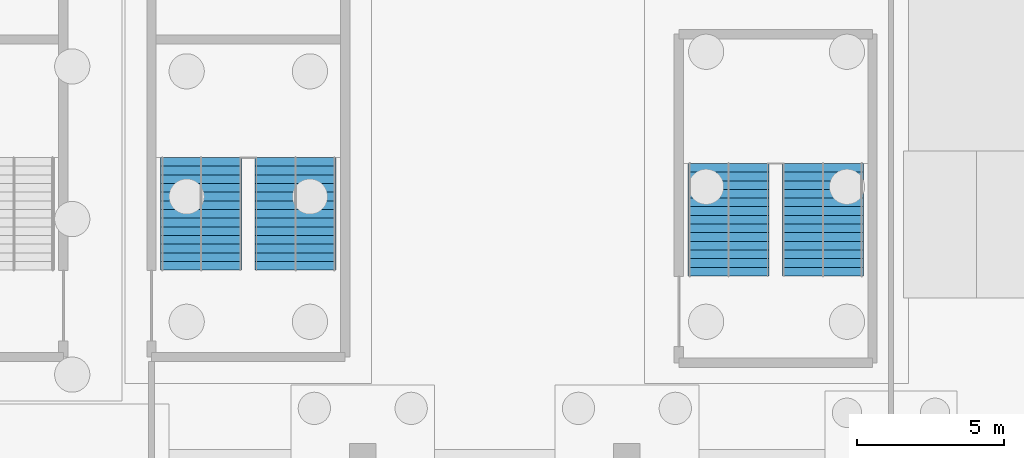
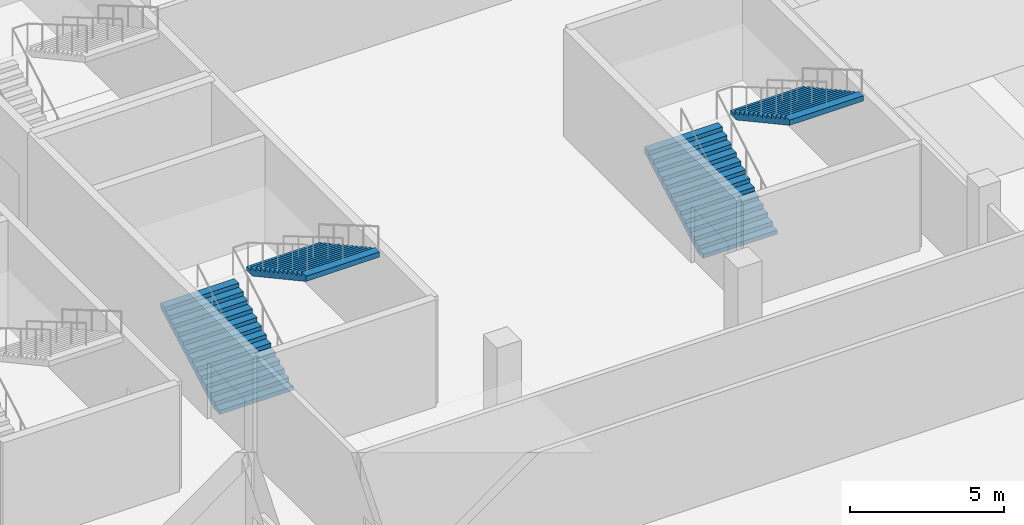
# One storey, part 29 of 46: 4 stair flights, 2 elements without a shape of their own.
"""IFC4 building model written with IfcOpenShell, lengths in metres."""

from ifc_helpers import new_model, si_unit, direction, frame, origin, place, context, subcontext, project, spatial, polygons, material, type_object, element, aggregate, save


model = new_model("IFC4")

# Units and contexts
model_context = context("Model", 3, precision=1e-05, world=origin(), true_north=direction((0.0, 1.0)))
body_context = subcontext(model_context, "Body", "Model", "MODEL_VIEW")
ifc_project = project(units=[si_unit("LENGTHUNIT", "METRE"), si_unit("AREAUNIT", "SQUARE_METRE"), si_unit("VOLUMEUNIT", "CUBIC_METRE"), si_unit("PLANEANGLEUNIT", "RADIAN"), si_unit("MASSUNIT", "GRAM", prefix="KILO")], contexts=[model_context])

# Site, building, storey
site_placement = place(None, origin())
site = spatial("IfcSite", under=ifc_project, at=site_placement, CompositionType="ELEMENT")
building_placement = place(site_placement, origin())
building = spatial("IfcBuilding", under=site, at=building_placement, Name="Kisiwana Market Hall", CompositionType="ELEMENT")
storey_placement = place(building_placement, frame((0.0, 0.0, -4.5)))
storey = spatial("IfcBuildingStorey", under=building, at=storey_placement, Name="B1", CompositionType="ELEMENT", Elevation=-4.5)

# Stair, stair flights
ifc_material_1 = material(Name="Concrete C32/40", Category="concrete")
stair_type = type_object("IfcStairType", Name="ST-ESC-4500", PredefinedType="TWO_STRAIGHT_RUN_STAIR", material=ifc_material_1)
stair_1_placement = place(storey_placement, origin())
stair_1 = element("IfcStair", 1, at=stair_1_placement, inside=storey, type_object=stair_type, Name="Escape stair ST-W7-B1", PredefinedType="TWO_STRAIGHT_RUN_STAIR")
ifc_material_2 = material(Name="Concrete C32/40", Category="concrete")
stair_flight_type = type_object("IfcStairFlightType", Name="SF-ESC-4500", PredefinedType="STRAIGHT", material=ifc_material_2)
stair_flight_1_placement = place(storey_placement, frame((21.489990234375, 42.360107421875, 0.0), z_axis=(0.0, 0.0, 1.0), x_axis=(0.0, 1.0, 0.0)))
stair_flight_1 = element("IfcStairFlight", 2, at=stair_flight_1_placement, type_object=stair_flight_type, Name="ST-W7-B1 flight 1", NumberOfRisers=14, NumberOfTreads=13, PredefinedType="STRAIGHT", RiserHeight=0.160714, TreadLength=0.295, context=body_context, shape_type="Tessellation", body=[
    polygons([(0.0, -1.380127, 0.0), (0.0, -0.690125, 0.0), (0.0, -0.000122, 0.0), (0.0, 0.68988, 0.0), (0.0, 1.379883, 0.0), (0.0, -1.380127, 0.160645), (0.0, -0.690125, 0.160645), (0.0, -0.000122, 0.160645), (0.0, 0.68988, 0.160645), (0.0, 1.379883, 0.160645), (0.294922, -1.380127, 0.160645), (0.294922, -0.690125, 0.160645), (0.294922, -0.000122, 0.160645), (0.294922, 0.68988, 0.160645), (0.294922, 1.379883, 0.160645), (0.294922, -1.380127, 0.321533), (0.294922, -0.690125, 0.321533), (0.294922, -0.000122, 0.321533), (0.294922, 0.68988, 0.321533), (0.294922, 1.379883, 0.321533), (0.590088, -1.380127, 0.321533), (0.590088, -0.690125, 0.321533), (0.590088, -0.000122, 0.321533), (0.590088, 0.68988, 0.321533), (0.590088, 1.379883, 0.321533), (0.590088, -1.380127, 0.482178), (0.590088, -0.690125, 0.482178), (0.590088, -0.000122, 0.482178), (0.590088, 0.68988, 0.482178), (0.590088, 1.379883, 0.482178), (0.88501, -1.380127, 0.482178), (0.88501, -0.690125, 0.482178), (0.88501, -0.000122, 0.482178), (0.88501, 0.68988, 0.482178), (0.88501, 1.379883, 0.482178), (0.88501, -1.380127, 0.642822), (0.88501, -0.690125, 0.642822), (0.88501, -0.000122, 0.642822), (0.88501, 0.68988, 0.642822), (0.88501, 1.379883, 0.642822), (1.179932, -1.380127, 0.642822), (1.179932, -0.690125, 0.642822), (1.179932, -0.000122, 0.642822), (1.179932, 0.68988, 0.642822), (1.179932, 1.379883, 0.642822), (1.179932, -1.380127, 0.803467), (1.179932, -0.690125, 0.803467), (1.179932, -0.000122, 0.803467), (1.179932, 0.68988, 0.803467), (1.179932, 1.379883, 0.803467), (1.475098, -1.380127, 0.803467), (1.475098, -0.690125, 0.803467), (1.475098, -0.000122, 0.803467), (1.475098, 0.68988, 0.803467), (1.475098, 1.379883, 0.803467), (1.475098, -1.380127, 0.964355), (1.475098, -0.690125, 0.964355), (1.475098, -0.000122, 0.964355), (1.475098, 0.68988, 0.964355), (1.475098, 1.379883, 0.964355), (1.77002, -1.380127, 0.964355), (1.77002, -0.690125, 0.964355), (1.77002, -0.000122, 0.964355), (1.77002, 0.68988, 0.964355), (1.77002, 1.379883, 0.964355), (1.77002, -1.380127, 1.125), (1.77002, -0.690125, 1.125), (1.77002, -0.000122, 1.125), (1.77002, 0.68988, 1.125), (1.77002, 1.379883, 1.125), (2.064941, -1.380127, 1.125), (2.064941, -0.690125, 1.125), (2.064941, -0.000122, 1.125), (2.064941, 0.68988, 1.125), (2.064941, 1.379883, 1.125), (2.064941, -1.380127, 1.285645), (2.064941, -0.690125, 1.285645), (2.064941, -0.000122, 1.285645), (2.064941, 0.68988, 1.285645), (2.064941, 1.379883, 1.285645), (2.360107, -1.380127, 1.285645), (2.360107, -0.690125, 1.285645), (2.360107, -0.000122, 1.285645), (2.360107, 0.68988, 1.285645), (2.360107, 1.379883, 1.285645), (2.360107, -1.380127, 1.446533), (2.360107, -0.690125, 1.446533), (2.360107, -0.000122, 1.446533), (2.360107, 0.68988, 1.446533), (2.360107, 1.379883, 1.446533), (2.655029, -1.380127, 1.446533), (2.655029, -0.690125, 1.446533), (2.655029, -0.000122, 1.446533), (2.655029, 0.68988, 1.446533), (2.655029, 1.379883, 1.446533), (2.655029, -1.380127, 1.607178), (2.655029, -0.690125, 1.607178), (2.655029, -0.000122, 1.607178), (2.655029, 0.68988, 1.607178), (2.655029, 1.379883, 1.607178), (2.949951, -1.380127, 1.607178), (2.949951, -0.690125, 1.607178), (2.949951, -0.000122, 1.607178), (2.949951, 0.68988, 1.607178), (2.949951, 1.379883, 1.607178), (2.949951, -1.380127, 1.767822), (2.949951, -0.690125, 1.767822), (2.949951, -0.000122, 1.767822), (2.949951, 0.68988, 1.767822), (2.949951, 1.379883, 1.767822), (3.245117, -1.380127, 1.767822), (3.245117, -0.690125, 1.767822), (3.245117, -0.000122, 1.767822), (3.245117, 0.68988, 1.767822), (3.245117, 1.379883, 1.767822), (3.245117, -1.380127, 1.928467), (3.245117, -0.690125, 1.928467), (3.245117, -0.000122, 1.928467), (3.245117, 0.68988, 1.928467), (3.245117, 1.379883, 1.928467), (3.540039, -1.380127, 1.928467), (3.540039, -0.690125, 1.928467), (3.540039, -0.000122, 1.928467), (3.540039, 0.68988, 1.928467), (3.540039, 1.379883, 1.928467), (3.540039, -1.380127, 2.089355), (3.540039, -0.690125, 2.089355), (3.540039, -0.000122, 2.089355), (3.540039, 0.68988, 2.089355), (3.540039, 1.379883, 2.089355), (3.834961, -1.380127, 2.089355), (3.834961, -0.690125, 2.089355), (3.834961, -0.000122, 2.089355), (3.834961, 0.68988, 2.089355), (3.834961, 1.379883, 2.089355), (3.834961, -1.380127, 1.884277), (3.834961, -0.690125, 1.884277), (3.834961, -0.000122, 1.884277), (3.834961, 0.68988, 1.884277), (3.834961, 1.379883, 1.884277), (0.376221, -1.380127, 0.0), (0.376221, -0.690125, 0.0), (0.376221, -0.000122, 0.0), (0.376221, 0.68988, 0.0), (0.376221, 1.379883, 0.0)], [[[1, 6, 7, 2]], [[2, 7, 8, 3]], [[3, 8, 9, 4]], [[4, 9, 10, 5]], [[6, 11, 12, 7]], [[7, 12, 13, 8]], [[8, 13, 14, 9]], [[9, 14, 15, 10]], [[11, 16, 17, 12]], [[12, 17, 18, 13]], [[13, 18, 19, 14]], [[14, 19, 20, 15]], [[16, 21, 22, 17]], [[17, 22, 23, 18]], [[18, 23, 24, 19]], [[19, 24, 25, 20]], [[21, 26, 27, 22]], [[22, 27, 28, 23]], [[23, 28, 29, 24]], [[24, 29, 30, 25]], [[26, 31, 32, 27]], [[27, 32, 33, 28]], [[28, 33, 34, 29]], [[29, 34, 35, 30]], [[31, 36, 37, 32]], [[32, 37, 38, 33]], [[33, 38, 39, 34]], [[34, 39, 40, 35]], [[36, 41, 42, 37]], [[37, 42, 43, 38]], [[38, 43, 44, 39]], [[39, 44, 45, 40]], [[41, 46, 47, 42]], [[42, 47, 48, 43]], [[43, 48, 49, 44]], [[44, 49, 50, 45]], [[46, 51, 52, 47]], [[47, 52, 53, 48]], [[48, 53, 54, 49]], [[49, 54, 55, 50]], [[51, 56, 57, 52]], [[52, 57, 58, 53]], [[53, 58, 59, 54]], [[54, 59, 60, 55]], [[56, 61, 62, 57]], [[57, 62, 63, 58]], [[58, 63, 64, 59]], [[59, 64, 65, 60]], [[61, 66, 67, 62]], [[62, 67, 68, 63]], [[63, 68, 69, 64]], [[64, 69, 70, 65]], [[66, 71, 72, 67]], [[67, 72, 73, 68]], [[68, 73, 74, 69]], [[69, 74, 75, 70]], [[71, 76, 77, 72]], [[72, 77, 78, 73]], [[73, 78, 79, 74]], [[74, 79, 80, 75]], [[76, 81, 82, 77]], [[77, 82, 83, 78]], [[78, 83, 84, 79]], [[79, 84, 85, 80]], [[81, 86, 87, 82]], [[82, 87, 88, 83]], [[83, 88, 89, 84]], [[84, 89, 90, 85]], [[86, 91, 92, 87]], [[87, 92, 93, 88]], [[88, 93, 94, 89]], [[89, 94, 95, 90]], [[91, 96, 97, 92]], [[92, 97, 98, 93]], [[93, 98, 99, 94]], [[94, 99, 100, 95]], [[96, 101, 102, 97]], [[97, 102, 103, 98]], [[98, 103, 104, 99]], [[99, 104, 105, 100]], [[101, 106, 107, 102]], [[102, 107, 108, 103]], [[103, 108, 109, 104]], [[104, 109, 110, 105]], [[106, 111, 112, 107]], [[107, 112, 113, 108]], [[108, 113, 114, 109]], [[109, 114, 115, 110]], [[111, 116, 117, 112]], [[112, 117, 118, 113]], [[113, 118, 119, 114]], [[114, 119, 120, 115]], [[116, 121, 122, 117]], [[117, 122, 123, 118]], [[118, 123, 124, 119]], [[119, 124, 125, 120]], [[121, 126, 127, 122]], [[122, 127, 128, 123]], [[123, 128, 129, 124]], [[124, 129, 130, 125]], [[126, 131, 132, 127]], [[127, 132, 133, 128]], [[128, 133, 134, 129]], [[129, 134, 135, 130]], [[131, 136, 137, 132]], [[132, 137, 138, 133]], [[133, 138, 139, 134]], [[134, 139, 140, 135]], [[136, 141, 142, 137]], [[137, 142, 143, 138]], [[138, 143, 144, 139]], [[139, 144, 145, 140]], [[141, 1, 2, 142]], [[142, 2, 3, 143]], [[143, 3, 4, 144]], [[144, 4, 5, 145]], [[141, 136, 131, 126, 121, 116, 111, 106, 101, 96, 91, 86, 81, 76, 71, 66, 61, 56, 51, 46, 41, 36, 31, 26, 21, 16, 11, 6, 1]], [[5, 10, 15, 20, 25, 30, 35, 40, 45, 50, 55, 60, 65, 70, 75, 80, 85, 90, 95, 100, 105, 110, 115, 120, 125, 130, 135, 140, 145]]], closed=True),
])
stair_flight_2_placement = place(storey_placement, frame((24.7099609375, 46.195068359375, 2.25), z_axis=(0.0, 0.0, 1.0), x_axis=(0.0, -1.0, 0.0)))
stair_flight_2 = element("IfcStairFlight", 3, at=stair_flight_2_placement, type_object=stair_flight_type, Name="ST-W7-B1 flight 2", NumberOfRisers=14, NumberOfTreads=13, PredefinedType="STRAIGHT", RiserHeight=0.160714, TreadLength=0.295, context=body_context, shape_type="Tessellation", body=[
    polygons([(0.0, -1.380127, 0.0), (0.0, -0.690125, 0.0), (0.0, -0.000122, 0.0), (0.0, 0.68988, 0.0), (0.0, 1.379883, 0.0), (0.0, -1.380127, 0.160645), (0.0, -0.690125, 0.160645), (0.0, -0.000122, 0.160645), (0.0, 0.68988, 0.160645), (0.0, 1.379883, 0.160645), (0.294922, -1.380127, 0.160645), (0.294922, -0.690125, 0.160645), (0.294922, -0.000122, 0.160645), (0.294922, 0.68988, 0.160645), (0.294922, 1.379883, 0.160645), (0.294922, -1.380127, 0.321533), (0.294922, -0.690125, 0.321533), (0.294922, -0.000122, 0.321533), (0.294922, 0.68988, 0.321533), (0.294922, 1.379883, 0.321533), (0.590088, -1.380127, 0.321533), (0.590088, -0.690125, 0.321533), (0.590088, -0.000122, 0.321533), (0.590088, 0.68988, 0.321533), (0.590088, 1.379883, 0.321533), (0.590088, -1.380127, 0.482178), (0.590088, -0.690125, 0.482178), (0.590088, -0.000122, 0.482178), (0.590088, 0.68988, 0.482178), (0.590088, 1.379883, 0.482178), (0.88501, -1.380127, 0.482178), (0.88501, -0.690125, 0.482178), (0.88501, -0.000122, 0.482178), (0.88501, 0.68988, 0.482178), (0.88501, 1.379883, 0.482178), (0.88501, -1.380127, 0.642822), (0.88501, -0.690125, 0.642822), (0.88501, -0.000122, 0.642822), (0.88501, 0.68988, 0.642822), (0.88501, 1.379883, 0.642822), (1.179932, -1.380127, 0.642822), (1.179932, -0.690125, 0.642822), (1.179932, -0.000122, 0.642822), (1.179932, 0.68988, 0.642822), (1.179932, 1.379883, 0.642822), (1.179932, -1.380127, 0.803467), (1.179932, -0.690125, 0.803467), (1.179932, -0.000122, 0.803467), (1.179932, 0.68988, 0.803467), (1.179932, 1.379883, 0.803467), (1.475098, -1.380127, 0.803467), (1.475098, -0.690125, 0.803467), (1.475098, -0.000122, 0.803467), (1.475098, 0.68988, 0.803467), (1.475098, 1.379883, 0.803467), (1.475098, -1.380127, 0.964355), (1.475098, -0.690125, 0.964355), (1.475098, -0.000122, 0.964355), (1.475098, 0.68988, 0.964355), (1.475098, 1.379883, 0.964355), (1.77002, -1.380127, 0.964355), (1.77002, -0.690125, 0.964355), (1.77002, -0.000122, 0.964355), (1.77002, 0.68988, 0.964355), (1.77002, 1.379883, 0.964355), (1.77002, -1.380127, 1.125), (1.77002, -0.690125, 1.125), (1.77002, -0.000122, 1.125), (1.77002, 0.68988, 1.125), (1.77002, 1.379883, 1.125), (2.064941, -1.380127, 1.125), (2.064941, -0.690125, 1.125), (2.064941, -0.000122, 1.125), (2.064941, 0.68988, 1.125), (2.064941, 1.379883, 1.125), (2.064941, -1.380127, 1.285645), (2.064941, -0.690125, 1.285645), (2.064941, -0.000122, 1.285645), (2.064941, 0.68988, 1.285645), (2.064941, 1.379883, 1.285645), (2.360107, -1.380127, 1.285645), (2.360107, -0.690125, 1.285645), (2.360107, -0.000122, 1.285645), (2.360107, 0.68988, 1.285645), (2.360107, 1.379883, 1.285645), (2.360107, -1.380127, 1.446533), (2.360107, -0.690125, 1.446533), (2.360107, -0.000122, 1.446533), (2.360107, 0.68988, 1.446533), (2.360107, 1.379883, 1.446533), (2.655029, -1.380127, 1.446533), (2.655029, -0.690125, 1.446533), (2.655029, -0.000122, 1.446533), (2.655029, 0.68988, 1.446533), (2.655029, 1.379883, 1.446533), (2.655029, -1.380127, 1.607178), (2.655029, -0.690125, 1.607178), (2.655029, -0.000122, 1.607178), (2.655029, 0.68988, 1.607178), (2.655029, 1.379883, 1.607178), (2.949951, -1.380127, 1.607178), (2.949951, -0.690125, 1.607178), (2.949951, -0.000122, 1.607178), (2.949951, 0.68988, 1.607178), (2.949951, 1.379883, 1.607178), (2.949951, -1.380127, 1.767822), (2.949951, -0.690125, 1.767822), (2.949951, -0.000122, 1.767822), (2.949951, 0.68988, 1.767822), (2.949951, 1.379883, 1.767822), (3.245117, -1.380127, 1.767822), (3.245117, -0.690125, 1.767822), (3.245117, -0.000122, 1.767822), (3.245117, 0.68988, 1.767822), (3.245117, 1.379883, 1.767822), (3.245117, -1.380127, 1.928467), (3.245117, -0.690125, 1.928467), (3.245117, -0.000122, 1.928467), (3.245117, 0.68988, 1.928467), (3.245117, 1.379883, 1.928467), (3.540039, -1.380127, 1.928467), (3.540039, -0.690125, 1.928467), (3.540039, -0.000122, 1.928467), (3.540039, 0.68988, 1.928467), (3.540039, 1.379883, 1.928467), (3.540039, -1.380127, 2.089355), (3.540039, -0.690125, 2.089355), (3.540039, -0.000122, 2.089355), (3.540039, 0.68988, 2.089355), (3.540039, 1.379883, 2.089355), (3.834961, -1.380127, 2.089355), (3.834961, -0.690125, 2.089355), (3.834961, -0.000122, 2.089355), (3.834961, 0.68988, 2.089355), (3.834961, 1.379883, 2.089355), (3.834961, -1.380127, 1.884277), (3.834961, -0.690125, 1.884277), (3.834961, -0.000122, 1.884277), (3.834961, 0.68988, 1.884277), (3.834961, 1.379883, 1.884277), (0.376221, -1.380127, 0.0), (0.376221, -0.690125, 0.0), (0.376221, -0.000122, 0.0), (0.376221, 0.68988, 0.0), (0.376221, 1.379883, 0.0)], [[[1, 6, 7, 2]], [[2, 7, 8, 3]], [[3, 8, 9, 4]], [[4, 9, 10, 5]], [[6, 11, 12, 7]], [[7, 12, 13, 8]], [[8, 13, 14, 9]], [[9, 14, 15, 10]], [[11, 16, 17, 12]], [[12, 17, 18, 13]], [[13, 18, 19, 14]], [[14, 19, 20, 15]], [[16, 21, 22, 17]], [[17, 22, 23, 18]], [[18, 23, 24, 19]], [[19, 24, 25, 20]], [[21, 26, 27, 22]], [[22, 27, 28, 23]], [[23, 28, 29, 24]], [[24, 29, 30, 25]], [[26, 31, 32, 27]], [[27, 32, 33, 28]], [[28, 33, 34, 29]], [[29, 34, 35, 30]], [[31, 36, 37, 32]], [[32, 37, 38, 33]], [[33, 38, 39, 34]], [[34, 39, 40, 35]], [[36, 41, 42, 37]], [[37, 42, 43, 38]], [[38, 43, 44, 39]], [[39, 44, 45, 40]], [[41, 46, 47, 42]], [[42, 47, 48, 43]], [[43, 48, 49, 44]], [[44, 49, 50, 45]], [[46, 51, 52, 47]], [[47, 52, 53, 48]], [[48, 53, 54, 49]], [[49, 54, 55, 50]], [[51, 56, 57, 52]], [[52, 57, 58, 53]], [[53, 58, 59, 54]], [[54, 59, 60, 55]], [[56, 61, 62, 57]], [[57, 62, 63, 58]], [[58, 63, 64, 59]], [[59, 64, 65, 60]], [[61, 66, 67, 62]], [[62, 67, 68, 63]], [[63, 68, 69, 64]], [[64, 69, 70, 65]], [[66, 71, 72, 67]], [[67, 72, 73, 68]], [[68, 73, 74, 69]], [[69, 74, 75, 70]], [[71, 76, 77, 72]], [[72, 77, 78, 73]], [[73, 78, 79, 74]], [[74, 79, 80, 75]], [[76, 81, 82, 77]], [[77, 82, 83, 78]], [[78, 83, 84, 79]], [[79, 84, 85, 80]], [[81, 86, 87, 82]], [[82, 87, 88, 83]], [[83, 88, 89, 84]], [[84, 89, 90, 85]], [[86, 91, 92, 87]], [[87, 92, 93, 88]], [[88, 93, 94, 89]], [[89, 94, 95, 90]], [[91, 96, 97, 92]], [[92, 97, 98, 93]], [[93, 98, 99, 94]], [[94, 99, 100, 95]], [[96, 101, 102, 97]], [[97, 102, 103, 98]], [[98, 103, 104, 99]], [[99, 104, 105, 100]], [[101, 106, 107, 102]], [[102, 107, 108, 103]], [[103, 108, 109, 104]], [[104, 109, 110, 105]], [[106, 111, 112, 107]], [[107, 112, 113, 108]], [[108, 113, 114, 109]], [[109, 114, 115, 110]], [[111, 116, 117, 112]], [[112, 117, 118, 113]], [[113, 118, 119, 114]], [[114, 119, 120, 115]], [[116, 121, 122, 117]], [[117, 122, 123, 118]], [[118, 123, 124, 119]], [[119, 124, 125, 120]], [[121, 126, 127, 122]], [[122, 127, 128, 123]], [[123, 128, 129, 124]], [[124, 129, 130, 125]], [[126, 131, 132, 127]], [[127, 132, 133, 128]], [[128, 133, 134, 129]], [[129, 134, 135, 130]], [[131, 136, 137, 132]], [[132, 137, 138, 133]], [[133, 138, 139, 134]], [[134, 139, 140, 135]], [[136, 141, 142, 137]], [[137, 142, 143, 138]], [[138, 143, 144, 139]], [[139, 144, 145, 140]], [[141, 1, 2, 142]], [[142, 2, 3, 143]], [[143, 3, 4, 144]], [[144, 4, 5, 145]], [[141, 136, 131, 126, 121, 116, 111, 106, 101, 96, 91, 86, 81, 76, 71, 66, 61, 56, 51, 46, 41, 36, 31, 26, 21, 16, 11, 6, 1]], [[5, 10, 15, 20, 25, 30, 35, 40, 45, 50, 55, 60, 65, 70, 75, 80, 85, 90, 95, 100, 105, 110, 115, 120, 125, 130, 135, 140, 145]]], closed=True),
])
aggregate(stair_1, [stair_flight_1, stair_flight_2])

stair_2_placement = place(storey_placement, origin())
stair_2 = element("IfcStair", 4, at=stair_2_placement, inside=storey, type_object=stair_type, Name="Escape stair ST-W9-B1", PredefinedType="TWO_STRAIGHT_RUN_STAIR")
stair_flight_3_placement = place(storey_placement, frame((39.4599609375, 42.159912109375, 0.0), z_axis=(0.0, 0.0, 1.0), x_axis=(0.0, 1.0, 0.0)))
stair_flight_3 = element("IfcStairFlight", 5, at=stair_flight_3_placement, type_object=stair_flight_type, Name="ST-W9-B1 flight 1", NumberOfRisers=14, NumberOfTreads=13, PredefinedType="STRAIGHT", RiserHeight=0.160714, TreadLength=0.295, context=body_context, shape_type="Tessellation", body=[
    polygons([(0.0, -1.380127, 0.0), (0.0, -0.690125, 0.0), (0.0, -0.000122, 0.0), (0.0, 0.68988, 0.0), (0.0, 1.379883, 0.0), (0.0, -1.380127, 0.160645), (0.0, -0.690125, 0.160645), (0.0, -0.000122, 0.160645), (0.0, 0.68988, 0.160645), (0.0, 1.379883, 0.160645), (0.294922, -1.380127, 0.160645), (0.294922, -0.690125, 0.160645), (0.294922, -0.000122, 0.160645), (0.294922, 0.68988, 0.160645), (0.294922, 1.379883, 0.160645), (0.294922, -1.380127, 0.321533), (0.294922, -0.690125, 0.321533), (0.294922, -0.000122, 0.321533), (0.294922, 0.68988, 0.321533), (0.294922, 1.379883, 0.321533), (0.590088, -1.380127, 0.321533), (0.590088, -0.690125, 0.321533), (0.590088, -0.000122, 0.321533), (0.590088, 0.68988, 0.321533), (0.590088, 1.379883, 0.321533), (0.590088, -1.380127, 0.482178), (0.590088, -0.690125, 0.482178), (0.590088, -0.000122, 0.482178), (0.590088, 0.68988, 0.482178), (0.590088, 1.379883, 0.482178), (0.88501, -1.380127, 0.482178), (0.88501, -0.690125, 0.482178), (0.88501, -0.000122, 0.482178), (0.88501, 0.68988, 0.482178), (0.88501, 1.379883, 0.482178), (0.88501, -1.380127, 0.642822), (0.88501, -0.690125, 0.642822), (0.88501, -0.000122, 0.642822), (0.88501, 0.68988, 0.642822), (0.88501, 1.379883, 0.642822), (1.179932, -1.380127, 0.642822), (1.179932, -0.690125, 0.642822), (1.179932, -0.000122, 0.642822), (1.179932, 0.68988, 0.642822), (1.179932, 1.379883, 0.642822), (1.179932, -1.380127, 0.803467), (1.179932, -0.690125, 0.803467), (1.179932, -0.000122, 0.803467), (1.179932, 0.68988, 0.803467), (1.179932, 1.379883, 0.803467), (1.475098, -1.380127, 0.803467), (1.475098, -0.690125, 0.803467), (1.475098, -0.000122, 0.803467), (1.475098, 0.68988, 0.803467), (1.475098, 1.379883, 0.803467), (1.475098, -1.380127, 0.964355), (1.475098, -0.690125, 0.964355), (1.475098, -0.000122, 0.964355), (1.475098, 0.68988, 0.964355), (1.475098, 1.379883, 0.964355), (1.77002, -1.380127, 0.964355), (1.77002, -0.690125, 0.964355), (1.77002, -0.000122, 0.964355), (1.77002, 0.68988, 0.964355), (1.77002, 1.379883, 0.964355), (1.77002, -1.380127, 1.125), (1.77002, -0.690125, 1.125), (1.77002, -0.000122, 1.125), (1.77002, 0.68988, 1.125), (1.77002, 1.379883, 1.125), (2.064941, -1.380127, 1.125), (2.064941, -0.690125, 1.125), (2.064941, -0.000122, 1.125), (2.064941, 0.68988, 1.125), (2.064941, 1.379883, 1.125), (2.064941, -1.380127, 1.285645), (2.064941, -0.690125, 1.285645), (2.064941, -0.000122, 1.285645), (2.064941, 0.68988, 1.285645), (2.064941, 1.379883, 1.285645), (2.360107, -1.380127, 1.285645), (2.360107, -0.690125, 1.285645), (2.360107, -0.000122, 1.285645), (2.360107, 0.68988, 1.285645), (2.360107, 1.379883, 1.285645), (2.360107, -1.380127, 1.446533), (2.360107, -0.690125, 1.446533), (2.360107, -0.000122, 1.446533), (2.360107, 0.68988, 1.446533), (2.360107, 1.379883, 1.446533), (2.655029, -1.380127, 1.446533), (2.655029, -0.690125, 1.446533), (2.655029, -0.000122, 1.446533), (2.655029, 0.68988, 1.446533), (2.655029, 1.379883, 1.446533), (2.655029, -1.380127, 1.607178), (2.655029, -0.690125, 1.607178), (2.655029, -0.000122, 1.607178), (2.655029, 0.68988, 1.607178), (2.655029, 1.379883, 1.607178), (2.949951, -1.380127, 1.607178), (2.949951, -0.690125, 1.607178), (2.949951, -0.000122, 1.607178), (2.949951, 0.68988, 1.607178), (2.949951, 1.379883, 1.607178), (2.949951, -1.380127, 1.767822), (2.949951, -0.690125, 1.767822), (2.949951, -0.000122, 1.767822), (2.949951, 0.68988, 1.767822), (2.949951, 1.379883, 1.767822), (3.245117, -1.380127, 1.767822), (3.245117, -0.690125, 1.767822), (3.245117, -0.000122, 1.767822), (3.245117, 0.68988, 1.767822), (3.245117, 1.379883, 1.767822), (3.245117, -1.380127, 1.928467), (3.245117, -0.690125, 1.928467), (3.245117, -0.000122, 1.928467), (3.245117, 0.68988, 1.928467), (3.245117, 1.379883, 1.928467), (3.540039, -1.380127, 1.928467), (3.540039, -0.690125, 1.928467), (3.540039, -0.000122, 1.928467), (3.540039, 0.68988, 1.928467), (3.540039, 1.379883, 1.928467), (3.540039, -1.380127, 2.089355), (3.540039, -0.690125, 2.089355), (3.540039, -0.000122, 2.089355), (3.540039, 0.68988, 2.089355), (3.540039, 1.379883, 2.089355), (3.834961, -1.380127, 2.089355), (3.834961, -0.690125, 2.089355), (3.834961, -0.000122, 2.089355), (3.834961, 0.68988, 2.089355), (3.834961, 1.379883, 2.089355), (3.834961, -1.380127, 1.884277), (3.834961, -0.690125, 1.884277), (3.834961, -0.000122, 1.884277), (3.834961, 0.68988, 1.884277), (3.834961, 1.379883, 1.884277), (0.376221, -1.380127, 0.0), (0.376221, -0.690125, 0.0), (0.376221, -0.000122, 0.0), (0.376221, 0.68988, 0.0), (0.376221, 1.379883, 0.0)], [[[1, 6, 7, 2]], [[2, 7, 8, 3]], [[3, 8, 9, 4]], [[4, 9, 10, 5]], [[6, 11, 12, 7]], [[7, 12, 13, 8]], [[8, 13, 14, 9]], [[9, 14, 15, 10]], [[11, 16, 17, 12]], [[12, 17, 18, 13]], [[13, 18, 19, 14]], [[14, 19, 20, 15]], [[16, 21, 22, 17]], [[17, 22, 23, 18]], [[18, 23, 24, 19]], [[19, 24, 25, 20]], [[21, 26, 27, 22]], [[22, 27, 28, 23]], [[23, 28, 29, 24]], [[24, 29, 30, 25]], [[26, 31, 32, 27]], [[27, 32, 33, 28]], [[28, 33, 34, 29]], [[29, 34, 35, 30]], [[31, 36, 37, 32]], [[32, 37, 38, 33]], [[33, 38, 39, 34]], [[34, 39, 40, 35]], [[36, 41, 42, 37]], [[37, 42, 43, 38]], [[38, 43, 44, 39]], [[39, 44, 45, 40]], [[41, 46, 47, 42]], [[42, 47, 48, 43]], [[43, 48, 49, 44]], [[44, 49, 50, 45]], [[46, 51, 52, 47]], [[47, 52, 53, 48]], [[48, 53, 54, 49]], [[49, 54, 55, 50]], [[51, 56, 57, 52]], [[52, 57, 58, 53]], [[53, 58, 59, 54]], [[54, 59, 60, 55]], [[56, 61, 62, 57]], [[57, 62, 63, 58]], [[58, 63, 64, 59]], [[59, 64, 65, 60]], [[61, 66, 67, 62]], [[62, 67, 68, 63]], [[63, 68, 69, 64]], [[64, 69, 70, 65]], [[66, 71, 72, 67]], [[67, 72, 73, 68]], [[68, 73, 74, 69]], [[69, 74, 75, 70]], [[71, 76, 77, 72]], [[72, 77, 78, 73]], [[73, 78, 79, 74]], [[74, 79, 80, 75]], [[76, 81, 82, 77]], [[77, 82, 83, 78]], [[78, 83, 84, 79]], [[79, 84, 85, 80]], [[81, 86, 87, 82]], [[82, 87, 88, 83]], [[83, 88, 89, 84]], [[84, 89, 90, 85]], [[86, 91, 92, 87]], [[87, 92, 93, 88]], [[88, 93, 94, 89]], [[89, 94, 95, 90]], [[91, 96, 97, 92]], [[92, 97, 98, 93]], [[93, 98, 99, 94]], [[94, 99, 100, 95]], [[96, 101, 102, 97]], [[97, 102, 103, 98]], [[98, 103, 104, 99]], [[99, 104, 105, 100]], [[101, 106, 107, 102]], [[102, 107, 108, 103]], [[103, 108, 109, 104]], [[104, 109, 110, 105]], [[106, 111, 112, 107]], [[107, 112, 113, 108]], [[108, 113, 114, 109]], [[109, 114, 115, 110]], [[111, 116, 117, 112]], [[112, 117, 118, 113]], [[113, 118, 119, 114]], [[114, 119, 120, 115]], [[116, 121, 122, 117]], [[117, 122, 123, 118]], [[118, 123, 124, 119]], [[119, 124, 125, 120]], [[121, 126, 127, 122]], [[122, 127, 128, 123]], [[123, 128, 129, 124]], [[124, 129, 130, 125]], [[126, 131, 132, 127]], [[127, 132, 133, 128]], [[128, 133, 134, 129]], [[129, 134, 135, 130]], [[131, 136, 137, 132]], [[132, 137, 138, 133]], [[133, 138, 139, 134]], [[134, 139, 140, 135]], [[136, 141, 142, 137]], [[137, 142, 143, 138]], [[138, 143, 144, 139]], [[139, 144, 145, 140]], [[141, 1, 2, 142]], [[142, 2, 3, 143]], [[143, 3, 4, 144]], [[144, 4, 5, 145]], [[141, 136, 131, 126, 121, 116, 111, 106, 101, 96, 91, 86, 81, 76, 71, 66, 61, 56, 51, 46, 41, 36, 31, 26, 21, 16, 11, 6, 1]], [[5, 10, 15, 20, 25, 30, 35, 40, 45, 50, 55, 60, 65, 70, 75, 80, 85, 90, 95, 100, 105, 110, 115, 120, 125, 130, 135, 140, 145]]], closed=True),
])
stair_flight_4_placement = place(storey_placement, frame((42.679931640625, 45.9951171875, 2.25), z_axis=(0.0, 0.0, 1.0), x_axis=(0.0, -1.0, 0.0)))
stair_flight_4 = element("IfcStairFlight", 6, at=stair_flight_4_placement, type_object=stair_flight_type, Name="ST-W9-B1 flight 2", NumberOfRisers=14, NumberOfTreads=13, PredefinedType="STRAIGHT", RiserHeight=0.160714, TreadLength=0.295, context=body_context, shape_type="Tessellation", body=[
    polygons([(0.0, -1.380127, 0.0), (0.0, -0.690125, 0.0), (0.0, -0.000122, 0.0), (0.0, 0.68988, 0.0), (0.0, 1.379883, 0.0), (0.0, -1.380127, 0.160645), (0.0, -0.690125, 0.160645), (0.0, -0.000122, 0.160645), (0.0, 0.68988, 0.160645), (0.0, 1.379883, 0.160645), (0.294922, -1.380127, 0.160645), (0.294922, -0.690125, 0.160645), (0.294922, -0.000122, 0.160645), (0.294922, 0.68988, 0.160645), (0.294922, 1.379883, 0.160645), (0.294922, -1.380127, 0.321533), (0.294922, -0.690125, 0.321533), (0.294922, -0.000122, 0.321533), (0.294922, 0.68988, 0.321533), (0.294922, 1.379883, 0.321533), (0.590088, -1.380127, 0.321533), (0.590088, -0.690125, 0.321533), (0.590088, -0.000122, 0.321533), (0.590088, 0.68988, 0.321533), (0.590088, 1.379883, 0.321533), (0.590088, -1.380127, 0.482178), (0.590088, -0.690125, 0.482178), (0.590088, -0.000122, 0.482178), (0.590088, 0.68988, 0.482178), (0.590088, 1.379883, 0.482178), (0.88501, -1.380127, 0.482178), (0.88501, -0.690125, 0.482178), (0.88501, -0.000122, 0.482178), (0.88501, 0.68988, 0.482178), (0.88501, 1.379883, 0.482178), (0.88501, -1.380127, 0.642822), (0.88501, -0.690125, 0.642822), (0.88501, -0.000122, 0.642822), (0.88501, 0.68988, 0.642822), (0.88501, 1.379883, 0.642822), (1.179932, -1.380127, 0.642822), (1.179932, -0.690125, 0.642822), (1.179932, -0.000122, 0.642822), (1.179932, 0.68988, 0.642822), (1.179932, 1.379883, 0.642822), (1.179932, -1.380127, 0.803467), (1.179932, -0.690125, 0.803467), (1.179932, -0.000122, 0.803467), (1.179932, 0.68988, 0.803467), (1.179932, 1.379883, 0.803467), (1.475098, -1.380127, 0.803467), (1.475098, -0.690125, 0.803467), (1.475098, -0.000122, 0.803467), (1.475098, 0.68988, 0.803467), (1.475098, 1.379883, 0.803467), (1.475098, -1.380127, 0.964355), (1.475098, -0.690125, 0.964355), (1.475098, -0.000122, 0.964355), (1.475098, 0.68988, 0.964355), (1.475098, 1.379883, 0.964355), (1.77002, -1.380127, 0.964355), (1.77002, -0.690125, 0.964355), (1.77002, -0.000122, 0.964355), (1.77002, 0.68988, 0.964355), (1.77002, 1.379883, 0.964355), (1.77002, -1.380127, 1.125), (1.77002, -0.690125, 1.125), (1.77002, -0.000122, 1.125), (1.77002, 0.68988, 1.125), (1.77002, 1.379883, 1.125), (2.064941, -1.380127, 1.125), (2.064941, -0.690125, 1.125), (2.064941, -0.000122, 1.125), (2.064941, 0.68988, 1.125), (2.064941, 1.379883, 1.125), (2.064941, -1.380127, 1.285645), (2.064941, -0.690125, 1.285645), (2.064941, -0.000122, 1.285645), (2.064941, 0.68988, 1.285645), (2.064941, 1.379883, 1.285645), (2.360107, -1.380127, 1.285645), (2.360107, -0.690125, 1.285645), (2.360107, -0.000122, 1.285645), (2.360107, 0.68988, 1.285645), (2.360107, 1.379883, 1.285645), (2.360107, -1.380127, 1.446533), (2.360107, -0.690125, 1.446533), (2.360107, -0.000122, 1.446533), (2.360107, 0.68988, 1.446533), (2.360107, 1.379883, 1.446533), (2.655029, -1.380127, 1.446533), (2.655029, -0.690125, 1.446533), (2.655029, -0.000122, 1.446533), (2.655029, 0.68988, 1.446533), (2.655029, 1.379883, 1.446533), (2.655029, -1.380127, 1.607178), (2.655029, -0.690125, 1.607178), (2.655029, -0.000122, 1.607178), (2.655029, 0.68988, 1.607178), (2.655029, 1.379883, 1.607178), (2.949951, -1.380127, 1.607178), (2.949951, -0.690125, 1.607178), (2.949951, -0.000122, 1.607178), (2.949951, 0.68988, 1.607178), (2.949951, 1.379883, 1.607178), (2.949951, -1.380127, 1.767822), (2.949951, -0.690125, 1.767822), (2.949951, -0.000122, 1.767822), (2.949951, 0.68988, 1.767822), (2.949951, 1.379883, 1.767822), (3.245117, -1.380127, 1.767822), (3.245117, -0.690125, 1.767822), (3.245117, -0.000122, 1.767822), (3.245117, 0.68988, 1.767822), (3.245117, 1.379883, 1.767822), (3.245117, -1.380127, 1.928467), (3.245117, -0.690125, 1.928467), (3.245117, -0.000122, 1.928467), (3.245117, 0.68988, 1.928467), (3.245117, 1.379883, 1.928467), (3.540039, -1.380127, 1.928467), (3.540039, -0.690125, 1.928467), (3.540039, -0.000122, 1.928467), (3.540039, 0.68988, 1.928467), (3.540039, 1.379883, 1.928467), (3.540039, -1.380127, 2.089355), (3.540039, -0.690125, 2.089355), (3.540039, -0.000122, 2.089355), (3.540039, 0.68988, 2.089355), (3.540039, 1.379883, 2.089355), (3.834961, -1.380127, 2.089355), (3.834961, -0.690125, 2.089355), (3.834961, -0.000122, 2.089355), (3.834961, 0.68988, 2.089355), (3.834961, 1.379883, 2.089355), (3.834961, -1.380127, 1.884277), (3.834961, -0.690125, 1.884277), (3.834961, -0.000122, 1.884277), (3.834961, 0.68988, 1.884277), (3.834961, 1.379883, 1.884277), (0.376221, -1.380127, 0.0), (0.376221, -0.690125, 0.0), (0.376221, -0.000122, 0.0), (0.376221, 0.68988, 0.0), (0.376221, 1.379883, 0.0)], [[[1, 6, 7, 2]], [[2, 7, 8, 3]], [[3, 8, 9, 4]], [[4, 9, 10, 5]], [[6, 11, 12, 7]], [[7, 12, 13, 8]], [[8, 13, 14, 9]], [[9, 14, 15, 10]], [[11, 16, 17, 12]], [[12, 17, 18, 13]], [[13, 18, 19, 14]], [[14, 19, 20, 15]], [[16, 21, 22, 17]], [[17, 22, 23, 18]], [[18, 23, 24, 19]], [[19, 24, 25, 20]], [[21, 26, 27, 22]], [[22, 27, 28, 23]], [[23, 28, 29, 24]], [[24, 29, 30, 25]], [[26, 31, 32, 27]], [[27, 32, 33, 28]], [[28, 33, 34, 29]], [[29, 34, 35, 30]], [[31, 36, 37, 32]], [[32, 37, 38, 33]], [[33, 38, 39, 34]], [[34, 39, 40, 35]], [[36, 41, 42, 37]], [[37, 42, 43, 38]], [[38, 43, 44, 39]], [[39, 44, 45, 40]], [[41, 46, 47, 42]], [[42, 47, 48, 43]], [[43, 48, 49, 44]], [[44, 49, 50, 45]], [[46, 51, 52, 47]], [[47, 52, 53, 48]], [[48, 53, 54, 49]], [[49, 54, 55, 50]], [[51, 56, 57, 52]], [[52, 57, 58, 53]], [[53, 58, 59, 54]], [[54, 59, 60, 55]], [[56, 61, 62, 57]], [[57, 62, 63, 58]], [[58, 63, 64, 59]], [[59, 64, 65, 60]], [[61, 66, 67, 62]], [[62, 67, 68, 63]], [[63, 68, 69, 64]], [[64, 69, 70, 65]], [[66, 71, 72, 67]], [[67, 72, 73, 68]], [[68, 73, 74, 69]], [[69, 74, 75, 70]], [[71, 76, 77, 72]], [[72, 77, 78, 73]], [[73, 78, 79, 74]], [[74, 79, 80, 75]], [[76, 81, 82, 77]], [[77, 82, 83, 78]], [[78, 83, 84, 79]], [[79, 84, 85, 80]], [[81, 86, 87, 82]], [[82, 87, 88, 83]], [[83, 88, 89, 84]], [[84, 89, 90, 85]], [[86, 91, 92, 87]], [[87, 92, 93, 88]], [[88, 93, 94, 89]], [[89, 94, 95, 90]], [[91, 96, 97, 92]], [[92, 97, 98, 93]], [[93, 98, 99, 94]], [[94, 99, 100, 95]], [[96, 101, 102, 97]], [[97, 102, 103, 98]], [[98, 103, 104, 99]], [[99, 104, 105, 100]], [[101, 106, 107, 102]], [[102, 107, 108, 103]], [[103, 108, 109, 104]], [[104, 109, 110, 105]], [[106, 111, 112, 107]], [[107, 112, 113, 108]], [[108, 113, 114, 109]], [[109, 114, 115, 110]], [[111, 116, 117, 112]], [[112, 117, 118, 113]], [[113, 118, 119, 114]], [[114, 119, 120, 115]], [[116, 121, 122, 117]], [[117, 122, 123, 118]], [[118, 123, 124, 119]], [[119, 124, 125, 120]], [[121, 126, 127, 122]], [[122, 127, 128, 123]], [[123, 128, 129, 124]], [[124, 129, 130, 125]], [[126, 131, 132, 127]], [[127, 132, 133, 128]], [[128, 133, 134, 129]], [[129, 134, 135, 130]], [[131, 136, 137, 132]], [[132, 137, 138, 133]], [[133, 138, 139, 134]], [[134, 139, 140, 135]], [[136, 141, 142, 137]], [[137, 142, 143, 138]], [[138, 143, 144, 139]], [[139, 144, 145, 140]], [[141, 1, 2, 142]], [[142, 2, 3, 143]], [[143, 3, 4, 144]], [[144, 4, 5, 145]], [[141, 136, 131, 126, 121, 116, 111, 106, 101, 96, 91, 86, 81, 76, 71, 66, 61, 56, 51, 46, 41, 36, 31, 26, 21, 16, 11, 6, 1]], [[5, 10, 15, 20, 25, 30, 35, 40, 45, 50, 55, 60, 65, 70, 75, 80, 85, 90, 95, 100, 105, 110, 115, 120, 125, 130, 135, 140, 145]]], closed=True),
])
aggregate(stair_2, [stair_flight_3, stair_flight_4])

save(model, "model.ifc")
